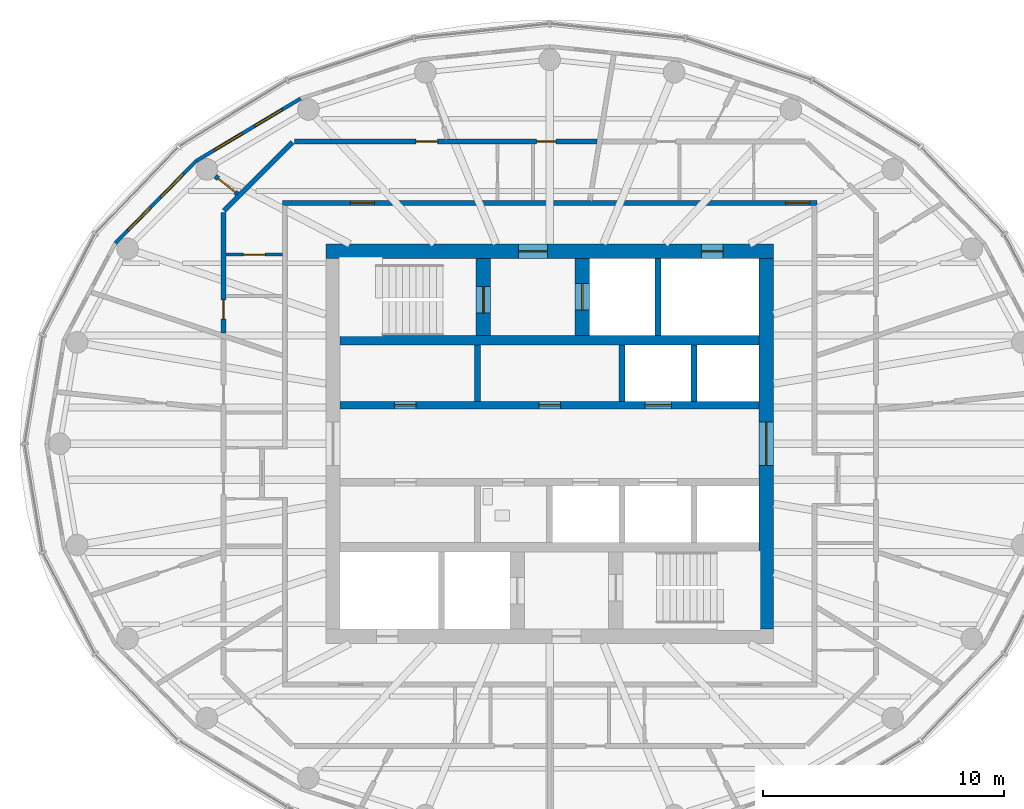
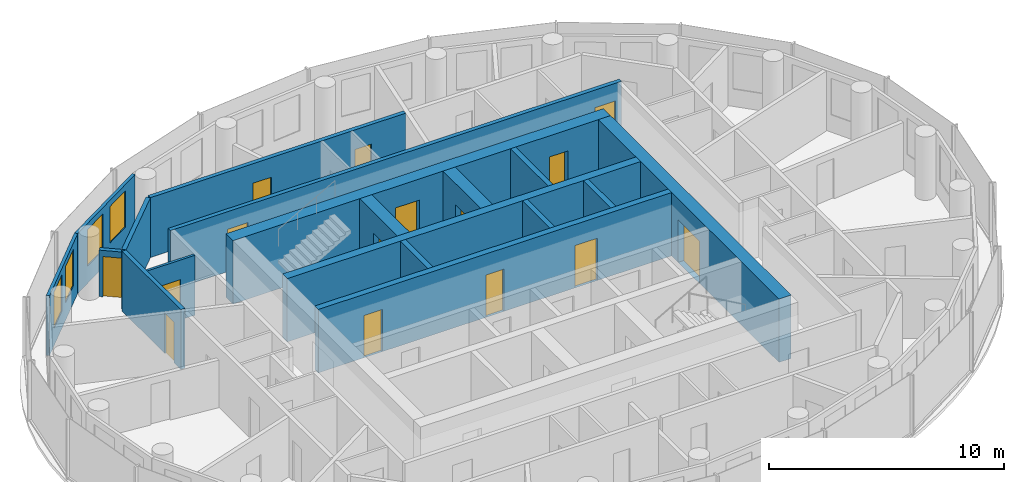
# One storey, part 7 of 12: 18 walls, 15 doors, 4 windows, 19 openings.
"""IFC4 building model written with IfcOpenShell, lengths in metres."""

from ifc_helpers import new_model, si_unit, direction, frame, frame_2d, origin, place, context, subcontext, project, spatial, rectangle, extrude, material, layer, layer_set, type_object, element, fill, save


model = new_model("IFC4")

# Units and contexts
model_context = context("Model", 3, precision=1e-05, world=origin(), true_north=direction((0.0, 1.0)))
body_context = subcontext(model_context, "Body", "Model", "MODEL_VIEW")
ifc_project = project(units=[si_unit("LENGTHUNIT", "METRE"), si_unit("AREAUNIT", "SQUARE_METRE"), si_unit("VOLUMEUNIT", "CUBIC_METRE"), si_unit("PLANEANGLEUNIT", "RADIAN"), si_unit("MASSUNIT", "GRAM", prefix="KILO")], contexts=[model_context])

# Site, building, storey
site_placement = place(None, origin())
site = spatial("IfcSite", under=ifc_project, at=site_placement, CompositionType="ELEMENT")
building_placement = place(site_placement, origin())
building = spatial("IfcBuilding", under=site, at=building_placement, Name="Hankou Lantern Tower", CompositionType="ELEMENT")
storey_placement = place(building_placement, frame((0.0, 0.0, 222.60009765625)))
storey = spatial("IfcBuildingStorey", under=building, at=storey_placement, Name="L60", CompositionType="ELEMENT", Elevation=222.60009765625)

# Wall, openings, doors
ifc_material_1 = material(Name="Concrete C60", Category="concrete")
ifc_layer_1 = layer(ifc_material_1, 0.60009765625)
ifc_layer_set_1 = layer_set([ifc_layer_1], Name="Concrete C60")
wall_type_1 = type_object("IfcWallType", Name="CW3 CORE WALL 600", PredefinedType="SHEAR", material=ifc_layer_set_1)
wall_1_placement = place(storey_placement, frame((-9.300048828125, 8.0, 0.0), z_axis=(0.0, 0.0, 1.0), x_axis=(1.0, 0.0, 0.0)))
wall_1 = element("IfcWall", 1, at=wall_1_placement, inside=storey, type_object=wall_type_1, Name="Core wall north L60", PredefinedType="SHEAR", context=body_context, shape_type="SweptSolid", body=[
    extrude(rectangle(XDim=18.60009765625, YDim=0.60009765625, at=frame_2d((9.300048828125, 0.0))), origin(), (0.0, 0.0, 1.0), 3.2998046875),
])
opening_1_placement = place(wall_1_placement, frame((8.0, 0.0, 0.0)))
opening_1 = element("IfcOpeningElement", 2, at=opening_1_placement, cuts=wall_1, Name="Opening D5", PredefinedType="OPENING", context=body_context, shape_type="SweptSolid", body=[
    extrude(rectangle(XDim=1.199951171875, YDim=2.199951171875, at=frame_2d((0.60009765625, 1.10009765625))), frame((0.0, 0.31005859375, 0.0), z_axis=(0.0, -1.0, 0.0), x_axis=(1.0, 0.0, 0.0)), (0.0, 0.0, 1.0), 0.6201171875),
])
opening_2_placement = place(wall_1_placement, frame((15.60009765625, 0.0, 0.0)))
opening_2 = element("IfcOpeningElement", 3, at=opening_2_placement, cuts=wall_1, Name="Opening D7", PredefinedType="OPENING", context=body_context, shape_type="SweptSolid", body=[
    extrude(rectangle(XDim=0.89990234375, YDim=2.199951171875, at=frame_2d((0.449951171875, 1.10009765625))), frame((0.0, 0.31005859375, 0.0), z_axis=(0.0, -1.0, 0.0), x_axis=(1.0, 0.0, 0.0)), (0.0, 0.0, 1.0), 0.6201171875),
])
ifc_material_2 = material(Name="Steel door leaf", Category="steel")
door_type_1 = type_object("IfcDoorType", Name="D5 STAIR LOBBY DOOR 1200X2200", OperationType="SINGLE_SWING_LEFT", PredefinedType="DOOR", material=ifc_material_2)
door_1_placement = place(opening_1_placement, origin())
door_1 = element("IfcDoor", 4, at=door_1_placement, inside=storey, type_object=door_type_1, Name="Stair A lobby door", OperationType="SINGLE_SWING_LEFT", OverallHeight=2.199951171875, OverallWidth=1.199951171875, PredefinedType="DOOR", context=body_context, shape_type="SweptSolid", body=[
    extrude(rectangle(XDim=1.199951171875, YDim=2.199951171875, at=frame_2d((0.60009765625, 1.10009765625))), frame((0.0, 0.02490234375, 0.0), z_axis=(0.0, -1.0, 0.0), x_axis=(1.0, 0.0, 0.0)), (0.0, 0.0, 1.0), 0.050048828125),
])
fill(opening_1, door_1)
ifc_material_3 = material(Name="Steel door leaf", Category="steel")
door_type_2 = type_object("IfcDoorType", Name="D7 RISER DOOR 900X2200", OperationType="SINGLE_SWING_LEFT", PredefinedType="DOOR", material=ifc_material_3)
door_2_placement = place(opening_2_placement, origin())
door_2 = element("IfcDoor", 5, at=door_2_placement, inside=storey, type_object=door_type_2, Name="Riser N1 door", OperationType="SINGLE_SWING_RIGHT", OverallHeight=2.199951171875, OverallWidth=0.89990234375, PredefinedType="DOOR", context=body_context, shape_type="SweptSolid", body=[
    extrude(rectangle(XDim=0.89990234375, YDim=2.199951171875, at=frame_2d((0.449951171875, 1.10009765625))), frame((0.0, 0.02490234375, 0.0), z_axis=(0.0, -1.0, 0.0), x_axis=(1.0, 0.0, 0.0)), (0.0, 0.0, 1.0), 0.050048828125),
])
fill(opening_2, door_2)

# Wall, opening, door
wall_2_placement = place(storey_placement, frame((9.0, -7.699951171875, 0.0), z_axis=(0.0, 0.0, 1.0), x_axis=(0.0, 1.0, 0.0)))
wall_2 = element("IfcWall", 6, at=wall_2_placement, inside=storey, type_object=wall_type_1, Name="Core wall east L60", PredefinedType="SHEAR", context=body_context, shape_type="SweptSolid", body=[
    extrude(rectangle(XDim=15.39990234375, YDim=0.60009765625, at=frame_2d((7.699951171875, 0.0))), origin(), (0.0, 0.0, 1.0), 3.2998046875),
])
opening_3_placement = place(wall_2_placement, frame((6.800048828125, 0.0, 0.0)))
opening_3 = element("IfcOpeningElement", 7, at=opening_3_placement, cuts=wall_2, Name="Opening D6", PredefinedType="OPENING", context=body_context, shape_type="SweptSolid", body=[
    extrude(rectangle(XDim=1.800048828125, YDim=2.199951171875, at=frame_2d((0.89990234375, 1.10009765625))), frame((0.0, 0.31005859375, 0.0), z_axis=(0.0, -1.0, 0.0), x_axis=(1.0, 0.0, 0.0)), (0.0, 0.0, 1.0), 0.6201171875),
])
ifc_material_4 = material(Name="Steel door leaf", Category="steel")
door_type_3 = type_object("IfcDoorType", Name="D6 LIFT LOBBY DOOR 1800X2200", OperationType="DOUBLE_DOOR_DOUBLE_SWING", PredefinedType="DOOR", material=ifc_material_4)
door_3_placement = place(opening_3_placement, origin())
door_3 = element("IfcDoor", 8, at=door_3_placement, inside=storey, type_object=door_type_3, Name="Lift lobby east door", OperationType="DOUBLE_DOOR_DOUBLE_SWING", OverallHeight=2.199951171875, OverallWidth=1.800048828125, PredefinedType="DOOR", context=body_context, shape_type="SweptSolid", body=[
    extrude(rectangle(XDim=1.800048828125, YDim=2.199951171875, at=frame_2d((0.89990234375, 1.10009765625))), frame((0.0, 0.02490234375, 0.0), z_axis=(0.0, -1.0, 0.0), x_axis=(1.0, 0.0, 0.0)), (0.0, 0.0, 1.0), 0.050048828125),
])
fill(opening_3, door_3)

# Wall
ifc_material_5 = material(Name="Concrete C60", Category="concrete")
ifc_layer_2 = layer(ifc_material_5, 0.39990234375)
ifc_layer_set_2 = layer_set([ifc_layer_2], Name="Concrete C60")
wall_type_2 = type_object("IfcWallType", Name="CW4 CORE CROSS WALL 400", PredefinedType="SHEAR", material=ifc_layer_set_2)
wall_3_placement = place(storey_placement, frame((-8.699951171875, 4.300048828125, 0.0), z_axis=(0.0, 0.0, 1.0), x_axis=(1.0, 0.0, 0.0)))
element("IfcWall", 9, at=wall_3_placement, inside=storey, type_object=wall_type_2, Name="Core band wall north L60", PredefinedType="SHEAR", context=body_context, shape_type="SweptSolid", body=[
    extrude(rectangle(XDim=17.39990234375, YDim=0.39990234375, at=frame_2d((8.699951171875, 0.0))), origin(), (0.0, 0.0, 1.0), 3.2998046875),
])

# Wall, openings, doors
ifc_material_6 = material(Name="Concrete C60", Category="concrete")
ifc_layer_3 = layer(ifc_material_6, 0.300048828125)
ifc_layer_set_3 = layer_set([ifc_layer_3], Name="Concrete C60")
wall_type_3 = type_object("IfcWallType", Name="CW5 LIFT LOBBY WALL 300", PredefinedType="SHEAR", material=ifc_layer_set_3)
wall_4_placement = place(storey_placement, frame((-8.699951171875, 1.60009765625, 0.0), z_axis=(0.0, 0.0, 1.0), x_axis=(1.0, 0.0, 0.0)))
wall_4 = element("IfcWall", 10, at=wall_4_placement, inside=storey, type_object=wall_type_3, Name="Lift lobby wall north L60", PredefinedType="SHEAR", context=body_context, shape_type="SweptSolid", body=[
    extrude(rectangle(XDim=17.39990234375, YDim=0.300048828125, at=frame_2d((8.699951171875, 0.0))), origin(), (0.0, 0.0, 1.0), 3.2998046875),
])
opening_4_placement = place(wall_4_placement, frame((12.64990234375, 0.0, 0.0)))
opening_4 = element("IfcOpeningElement", 11, at=opening_4_placement, cuts=wall_4, Name="Opening LD1", PredefinedType="OPENING", context=body_context, shape_type="SweptSolid", body=[
    extrude(rectangle(XDim=1.10009765625, YDim=2.199951171875, at=frame_2d((0.550048828125, 1.10009765625))), frame((0.0, 0.159912109375, 0.0), z_axis=(0.0, -1.0, 0.0), x_axis=(1.0, 0.0, 0.0)), (0.0, 0.0, 1.0), 0.320068359375),
])
opening_5_placement = place(wall_4_placement, frame((2.25, 0.0, 0.0)))
opening_5 = element("IfcOpeningElement", 12, at=opening_5_placement, cuts=wall_4, Name="Opening D30", PredefinedType="OPENING", context=body_context, shape_type="SweptSolid", body=[
    extrude(rectangle(XDim=0.89990234375, YDim=2.199951171875, at=frame_2d((0.449951171875, 1.10009765625))), frame((0.0, 0.159912109375, 0.0), z_axis=(0.0, -1.0, 0.0), x_axis=(1.0, 0.0, 0.0)), (0.0, 0.0, 1.0), 0.320068359375),
])
opening_6_placement = place(wall_4_placement, frame((8.25, 0.0, 0.0)))
opening_6 = element("IfcOpeningElement", 13, at=opening_6_placement, cuts=wall_4, Name="Opening D30", PredefinedType="OPENING", context=body_context, shape_type="SweptSolid", body=[
    extrude(rectangle(XDim=0.89990234375, YDim=2.199951171875, at=frame_2d((0.449951171875, 1.10009765625))), frame((0.0, 0.159912109375, 0.0), z_axis=(0.0, -1.0, 0.0), x_axis=(1.0, 0.0, 0.0)), (0.0, 0.0, 1.0), 0.320068359375),
])
ifc_material_7 = material(Name="Steel door leaf", Category="steel")
door_type_4 = type_object("IfcDoorType", Name="D30 CORE ROOM DOOR 900X2200", OperationType="SINGLE_SWING_LEFT", PredefinedType="DOOR", material=ifc_material_7)
door_4_placement = place(opening_5_placement, origin())
door_4 = element("IfcDoor", 14, at=door_4_placement, inside=storey, type_object=door_type_4, Name="Guest pantry and ice room door", OperationType="SINGLE_SWING_LEFT", OverallHeight=2.199951171875, OverallWidth=0.89990234375, PredefinedType="DOOR", context=body_context, shape_type="SweptSolid", body=[
    extrude(rectangle(XDim=0.89990234375, YDim=2.199951171875, at=frame_2d((0.449951171875, 1.10009765625))), frame((0.0, 0.02490234375, 0.0), z_axis=(0.0, -1.0, 0.0), x_axis=(1.0, 0.0, 0.0)), (0.0, 0.0, 1.0), 0.050048828125),
])
fill(opening_5, door_4)
door_5_placement = place(opening_6_placement, origin())
door_5 = element("IfcDoor", 15, at=door_5_placement, inside=storey, type_object=door_type_4, Name="Vending room door", OperationType="SINGLE_SWING_LEFT", OverallHeight=2.199951171875, OverallWidth=0.89990234375, PredefinedType="DOOR", context=body_context, shape_type="SweptSolid", body=[
    extrude(rectangle(XDim=0.89990234375, YDim=2.199951171875, at=frame_2d((0.449951171875, 1.10009765625))), frame((0.0, 0.02490234375, 0.0), z_axis=(0.0, -1.0, 0.0), x_axis=(1.0, 0.0, 0.0)), (0.0, 0.0, 1.0), 0.050048828125),
])
fill(opening_6, door_5)
ifc_material_8 = material(Name="Steel door leaf", Category="steel")
door_type_5 = type_object("IfcDoorType", Name="LD1 LIFT LANDING DOOR 1100X2200", OperationType="DOUBLE_DOOR_SLIDING", PredefinedType="DOOR", material=ifc_material_8)
door_6_placement = place(opening_4_placement, origin())
door_6 = element("IfcDoor", 16, at=door_6_placement, inside=storey, type_object=door_type_5, Name="Lift T1 landing door", OperationType="DOUBLE_DOOR_SLIDING", OverallHeight=2.199951171875, OverallWidth=1.10009765625, PredefinedType="DOOR", context=body_context, shape_type="SweptSolid", body=[
    extrude(rectangle(XDim=1.10009765625, YDim=2.199951171875, at=frame_2d((0.550048828125, 1.10009765625))), frame((0.0, 0.02490234375, 0.0), z_axis=(0.0, -1.0, 0.0), x_axis=(1.0, 0.0, 0.0)), (0.0, 0.0, 1.0), 0.050048828125),
])
fill(opening_4, door_6)

# Wall, opening, door
ifc_material_9 = material(Name="Concrete C60", Category="concrete")
ifc_layer_4 = layer(ifc_material_9, 0.60009765625)
ifc_layer_set_4 = layer_set([ifc_layer_4], Name="Concrete C60")
wall_type_4 = type_object("IfcWallType", Name="CW6 STAIR AND SHAFT WALL 600", PredefinedType="SHEAR", material=ifc_layer_set_4)
wall_5_placement = place(storey_placement, frame((-2.75, 4.5, 0.0), z_axis=(0.0, 0.0, 1.0), x_axis=(0.0, 1.0, 0.0)))
wall_5 = element("IfcWall", 17, at=wall_5_placement, inside=storey, type_object=wall_type_4, Name="Stair wall L60", PredefinedType="SHEAR", context=body_context, shape_type="SweptSolid", body=[
    extrude(rectangle(XDim=3.199951171875, YDim=0.60009765625, at=frame_2d((1.60009765625, 0.0))), origin(), (0.0, 0.0, 1.0), 3.2998046875),
])
opening_7_placement = place(wall_5_placement, frame((0.925048828125, 0.0, 0.0)))
opening_7 = element("IfcOpeningElement", 18, at=opening_7_placement, cuts=wall_5, Name="Opening D4", PredefinedType="OPENING", context=body_context, shape_type="SweptSolid", body=[
    extrude(rectangle(XDim=1.10009765625, YDim=2.199951171875, at=frame_2d((0.550048828125, 1.10009765625))), frame((0.0, 0.31005859375, 0.0), z_axis=(0.0, -1.0, 0.0), x_axis=(1.0, 0.0, 0.0)), (0.0, 0.0, 1.0), 0.6201171875),
])
ifc_material_10 = material(Name="Steel door leaf", Category="steel")
door_type_6 = type_object("IfcDoorType", Name="D4 STAIR DOOR 1100X2200", OperationType="SINGLE_SWING_LEFT", PredefinedType="DOOR", material=ifc_material_10)
door_7_placement = place(opening_7_placement, origin())
door_7 = element("IfcDoor", 19, at=door_7_placement, inside=storey, type_object=door_type_6, Name="Stair A door", OperationType="SINGLE_SWING_LEFT", OverallHeight=2.199951171875, OverallWidth=1.10009765625, PredefinedType="DOOR", context=body_context, shape_type="SweptSolid", body=[
    extrude(rectangle(XDim=1.10009765625, YDim=2.199951171875, at=frame_2d((0.550048828125, 1.10009765625))), frame((0.0, 0.02490234375, 0.0), z_axis=(0.0, -1.0, 0.0), x_axis=(1.0, 0.0, 0.0)), (0.0, 0.0, 1.0), 0.050048828125),
])
fill(opening_7, door_7)

wall_6_placement = place(storey_placement, frame((1.35009765625, 4.5, 0.0), z_axis=(0.0, 0.0, 1.0), x_axis=(0.0, 1.0, 0.0)))
wall_6 = element("IfcWall", 20, at=wall_6_placement, inside=storey, type_object=wall_type_4, Name="Firefighting lift shaft wall L60", PredefinedType="SHEAR", context=body_context, shape_type="SweptSolid", body=[
    extrude(rectangle(XDim=3.199951171875, YDim=0.60009765625, at=frame_2d((1.60009765625, 0.0))), origin(), (0.0, 0.0, 1.0), 3.2998046875),
])
opening_8_placement = place(wall_6_placement, frame((1.050048828125, 0.0, 0.0)))
opening_8 = element("IfcOpeningElement", 21, at=opening_8_placement, cuts=wall_6, Name="Opening LD2", PredefinedType="OPENING", context=body_context, shape_type="SweptSolid", body=[
    extrude(rectangle(XDim=1.10009765625, YDim=2.199951171875, at=frame_2d((0.550048828125, 1.10009765625))), frame((0.0, 0.31005859375, 0.0), z_axis=(0.0, -1.0, 0.0), x_axis=(1.0, 0.0, 0.0)), (0.0, 0.0, 1.0), 0.6201171875),
])
ifc_material_11 = material(Name="Steel door leaf", Category="steel")
door_type_7 = type_object("IfcDoorType", Name="LD2 FIREFIGHTING LIFT LANDING DOOR 1100X2200", OperationType="DOUBLE_DOOR_SLIDING", PredefinedType="DOOR", material=ifc_material_11)
door_8_placement = place(opening_8_placement, origin())
door_8 = element("IfcDoor", 22, at=door_8_placement, inside=storey, type_object=door_type_7, Name="Firefighting lift FL1 landing door", OperationType="DOUBLE_DOOR_SLIDING", OverallHeight=2.199951171875, OverallWidth=1.10009765625, PredefinedType="DOOR", context=body_context, shape_type="SweptSolid", body=[
    extrude(rectangle(XDim=1.10009765625, YDim=2.199951171875, at=frame_2d((0.550048828125, 1.10009765625))), frame((0.0, 0.02490234375, 0.0), z_axis=(0.0, -1.0, 0.0), x_axis=(1.0, 0.0, 0.0)), (0.0, 0.0, 1.0), 0.050048828125),
])
fill(opening_8, door_8)

# Wall, openings, windows
ifc_material_12 = material(Name="Aluminium spandrel panel on steel studs", Category="steel")
ifc_layer_5 = layer(ifc_material_12, 0.14990234375)
ifc_layer_set_5 = layer_set([ifc_layer_5], Name="Aluminium spandrel panel on steel studs")
wall_type_5 = type_object("IfcWallType", Name="EW1 INNER SKIN WALL 150", PredefinedType="ELEMENTEDWALL", material=ifc_layer_set_5)
wall_7_placement = place(storey_placement, frame((-10.346435546875, 14.33642578125, 0.0), z_axis=(0.0, 0.0, 1.0), x_axis=(-0.85822150553, -0.513279502265, 0.0)))
wall_7 = element("IfcWall", 23, at=wall_7_placement, inside=storey, type_object=wall_type_5, Name="Inner skin R09-R10 L60", PredefinedType="ELEMENTEDWALL", context=body_context, shape_type="SweptSolid", body=[
    extrude(rectangle(XDim=5.050048828125, YDim=0.14990234375, at=frame_2d((2.52490234375, 0.0))), origin(), (0.0, 0.0, 1.0), 3.119873046875),
])
opening_9_placement = place(wall_7_placement, frame((0.875, 0.0, 0.89990234375)))
opening_9 = element("IfcOpeningElement", 24, at=opening_9_placement, cuts=wall_7, Name="Opening W4", PredefinedType="OPENING", context=body_context, shape_type="SweptSolid", body=[
    extrude(rectangle(XDim=1.35009765625, YDim=1.89990234375, at=frame_2d((0.675048828125, 0.949951171875))), frame((0.0, 0.0849609375, 0.0), z_axis=(0.0, -1.0, 0.0), x_axis=(1.0, 0.0, 0.0)), (0.0, 0.0, 1.0), 0.169921875),
])
opening_10_placement = place(wall_7_placement, frame((2.824951171875, 0.0, 0.89990234375)))
opening_10 = element("IfcOpeningElement", 25, at=opening_10_placement, cuts=wall_7, Name="Opening W4", PredefinedType="OPENING", context=body_context, shape_type="SweptSolid", body=[
    extrude(rectangle(XDim=1.35009765625, YDim=1.89990234375, at=frame_2d((0.675048828125, 0.949951171875))), frame((0.0, 0.0849609375, 0.0), z_axis=(0.0, -1.0, 0.0), x_axis=(1.0, 0.0, 0.0)), (0.0, 0.0, 1.0), 0.169921875),
])
ifc_material_13 = material(Name="Aluminium framed double glazed window", Category="aluminium")
window_type = type_object("IfcWindowType", Name="W4 SUITE WINDOW 1350X1900", PartitioningType="DOUBLE_PANEL_VERTICAL", PredefinedType="WINDOW", material=ifc_material_13)
window_1_placement = place(opening_9_placement, origin())
window_1 = element("IfcWindow", 26, at=window_1_placement, inside=storey, type_object=window_type, Name="Window R09.1 L60", OverallHeight=1.89990234375, OverallWidth=1.35009765625, PartitioningType="SINGLE_PANEL", PredefinedType="WINDOW", context=body_context, shape_type="SweptSolid", body=[
    extrude(rectangle(XDim=1.35009765625, YDim=1.89990234375, at=frame_2d((0.675048828125, 0.949951171875))), frame((0.0, 0.030029296875, 0.0), z_axis=(0.0, -1.0, 0.0), x_axis=(1.0, 0.0, 0.0)), (0.0, 0.0, 1.0), 0.06005859375),
])
fill(opening_9, window_1)
window_2_placement = place(opening_10_placement, origin())
window_2 = element("IfcWindow", 27, at=window_2_placement, inside=storey, type_object=window_type, Name="Window R09.2 L60", OverallHeight=1.89990234375, OverallWidth=1.35009765625, PartitioningType="SINGLE_PANEL", PredefinedType="WINDOW", context=body_context, shape_type="SweptSolid", body=[
    extrude(rectangle(XDim=1.35009765625, YDim=1.89990234375, at=frame_2d((0.675048828125, 0.949951171875))), frame((0.0, 0.030029296875, 0.0), z_axis=(0.0, -1.0, 0.0), x_axis=(1.0, 0.0, 0.0)), (0.0, 0.0, 1.0), 0.06005859375),
])
fill(opening_10, window_2)

wall_8_placement = place(storey_placement, frame((-14.680419921875, 11.744384765625, 0.0), z_axis=(0.0, 0.0, 1.0), x_axis=(-0.701527379618, -0.712642501993, 0.0)))
wall_8 = element("IfcWall", 28, at=wall_8_placement, inside=storey, type_object=wall_type_5, Name="Inner skin R10-R11 L60", PredefinedType="ELEMENTEDWALL", context=body_context, shape_type="SweptSolid", body=[
    extrude(rectangle(XDim=4.788330078125, YDim=0.14990234375, at=frame_2d((2.39404296875, 0.0))), origin(), (0.0, 0.0, 1.0), 3.119873046875),
])
opening_11_placement = place(wall_8_placement, frame((0.744140625, 0.0, 0.89990234375)))
opening_11 = element("IfcOpeningElement", 29, at=opening_11_placement, cuts=wall_8, Name="Opening W4", PredefinedType="OPENING", context=body_context, shape_type="SweptSolid", body=[
    extrude(rectangle(XDim=1.35009765625, YDim=1.89990234375, at=frame_2d((0.675048828125, 0.949951171875))), frame((0.0, 0.0849609375, 0.0), z_axis=(0.0, -1.0, 0.0), x_axis=(1.0, 0.0, 0.0)), (0.0, 0.0, 1.0), 0.169921875),
])
opening_12_placement = place(wall_8_placement, frame((2.694091796875, 0.0, 0.89990234375)))
opening_12 = element("IfcOpeningElement", 30, at=opening_12_placement, cuts=wall_8, Name="Opening W4", PredefinedType="OPENING", context=body_context, shape_type="SweptSolid", body=[
    extrude(rectangle(XDim=1.35009765625, YDim=1.89990234375, at=frame_2d((0.675048828125, 0.949951171875))), frame((0.0, 0.0849609375, 0.0), z_axis=(0.0, -1.0, 0.0), x_axis=(1.0, 0.0, 0.0)), (0.0, 0.0, 1.0), 0.169921875),
])
window_3_placement = place(opening_11_placement, origin())
window_3 = element("IfcWindow", 31, at=window_3_placement, inside=storey, type_object=window_type, Name="Window R10.1 L60", OverallHeight=1.89990234375, OverallWidth=1.35009765625, PartitioningType="SINGLE_PANEL", PredefinedType="WINDOW", context=body_context, shape_type="SweptSolid", body=[
    extrude(rectangle(XDim=1.35009765625, YDim=1.89990234375, at=frame_2d((0.675048828125, 0.949951171875))), frame((0.0, 0.030029296875, 0.0), z_axis=(0.0, -1.0, 0.0), x_axis=(1.0, 0.0, 0.0)), (0.0, 0.0, 1.0), 0.06005859375),
])
fill(opening_11, window_3)
window_4_placement = place(opening_12_placement, origin())
window_4 = element("IfcWindow", 32, at=window_4_placement, inside=storey, type_object=window_type, Name="Window R10.2 L60", OverallHeight=1.89990234375, OverallWidth=1.35009765625, PartitioningType="SINGLE_PANEL", PredefinedType="WINDOW", context=body_context, shape_type="SweptSolid", body=[
    extrude(rectangle(XDim=1.35009765625, YDim=1.89990234375, at=frame_2d((0.675048828125, 0.949951171875))), frame((0.0, 0.030029296875, 0.0), z_axis=(0.0, -1.0, 0.0), x_axis=(1.0, 0.0, 0.0)), (0.0, 0.0, 1.0), 0.06005859375),
])
fill(opening_12, window_4)

# Wall, openings, doors
ifc_material_14 = material(Name="Masonry lightweight concrete block", Category="masonry")
ifc_layer_6 = layer(ifc_material_14, 0.199951171875)
ifc_layer_set_6 = layer_set([ifc_layer_6], Name="Masonry lightweight concrete block")
wall_type_6 = type_object("IfcWallType", Name="IW2 CORRIDOR WALL 200", PredefinedType="PARTITIONING", material=ifc_layer_set_6)
wall_9_placement = place(storey_placement, frame((-11.10009765625, 10.0, 0.0), z_axis=(0.0, 0.0, 1.0), x_axis=(1.0, 0.0, 0.0)))
wall_9 = element("IfcWall", 33, at=wall_9_placement, inside=storey, type_object=wall_type_6, Name="Corridor wall north", PredefinedType="PARTITIONING", context=body_context, shape_type="SweptSolid", body=[
    extrude(rectangle(XDim=22.2001953125, YDim=0.199951171875, at=frame_2d((11.10009765625, 0.0))), origin(), (0.0, 0.0, 1.0), 3.119873046875),
])
opening_13_placement = place(wall_9_placement, frame((20.89990234375, 0.0, 0.0)))
opening_13 = element("IfcOpeningElement", 34, at=opening_13_placement, cuts=wall_9, Name="Opening D2", PredefinedType="OPENING", context=body_context, shape_type="SweptSolid", body=[
    extrude(rectangle(XDim=1.0, YDim=2.199951171875, at=frame_2d((0.5, 1.10009765625))), frame((0.0, 0.10986328125, 0.0), z_axis=(0.0, -1.0, 0.0), x_axis=(1.0, 0.0, 0.0)), (0.0, 0.0, 1.0), 0.219970703125),
])
opening_14_placement = place(wall_9_placement, frame((2.819580078125, 0.0, 0.0)))
opening_14 = element("IfcOpeningElement", 35, at=opening_14_placement, cuts=wall_9, Name="Opening D2", PredefinedType="OPENING", context=body_context, shape_type="SweptSolid", body=[
    extrude(rectangle(XDim=1.0, YDim=2.199951171875, at=frame_2d((0.5, 1.10009765625))), frame((0.0, 0.10986328125, 0.0), z_axis=(0.0, -1.0, 0.0), x_axis=(1.0, 0.0, 0.0)), (0.0, 0.0, 1.0), 0.219970703125),
])
ifc_material_15 = material(Name="Steel door leaf", Category="steel")
door_type_8 = type_object("IfcDoorType", Name="D2 SUITE DOOR 1000X2200", OperationType="SINGLE_SWING_LEFT", PredefinedType="DOOR", material=ifc_material_15)
door_9_placement = place(opening_13_placement, origin())
door_9 = element("IfcDoor", 36, at=door_9_placement, inside=storey, type_object=door_type_8, Name="Suite door 6001", OperationType="SINGLE_SWING_LEFT", OverallHeight=2.199951171875, OverallWidth=1.0, PredefinedType="DOOR", context=body_context, shape_type="SweptSolid", body=[
    extrude(rectangle(XDim=1.0, YDim=2.199951171875, at=frame_2d((0.5, 1.10009765625))), frame((0.0, 0.02490234375, 0.0), z_axis=(0.0, -1.0, 0.0), x_axis=(1.0, 0.0, 0.0)), (0.0, 0.0, 1.0), 0.050048828125),
])
fill(opening_13, door_9)
door_10_placement = place(opening_14_placement, origin())
door_10 = element("IfcDoor", 37, at=door_10_placement, inside=storey, type_object=door_type_8, Name="Suite door 6002", OperationType="SINGLE_SWING_RIGHT", OverallHeight=2.199951171875, OverallWidth=1.0, PredefinedType="DOOR", context=body_context, shape_type="SweptSolid", body=[
    extrude(rectangle(XDim=1.0, YDim=2.199951171875, at=frame_2d((0.5, 1.10009765625))), frame((0.0, 0.02490234375, 0.0), z_axis=(0.0, -1.0, 0.0), x_axis=(1.0, 0.0, 0.0)), (0.0, 0.0, 1.0), 0.050048828125),
])
fill(opening_14, door_10)

# Wall, opening, door
ifc_material_16 = material(Name="Masonry lightweight concrete block", Category="masonry")
ifc_layer_7 = layer(ifc_material_16, 0.1201171875)
ifc_layer_set_7 = layer_set([ifc_layer_7], Name="Masonry lightweight concrete block")
wall_type_7 = type_object("IfcWallType", Name="IW3 BATHROOM WALL 120", PredefinedType="PARTITIONING", material=ifc_layer_set_7)
wall_10_placement = place(storey_placement, frame((-11.10009765625, 7.855224609375, 0.0), z_axis=(0.0, 0.0, 1.0), x_axis=(-1.0, 0.0, 0.0)))
wall_10 = element("IfcWall", 38, at=wall_10_placement, inside=storey, type_object=wall_type_7, Name="Box wall 6002 3", PredefinedType="PARTITIONING", context=body_context, shape_type="SweptSolid", body=[
    extrude(rectangle(XDim=2.349853515625, YDim=0.1201171875, at=frame_2d((1.1748046875, 0.0))), origin(), (0.0, 0.0, 1.0), 3.119873046875),
])
opening_15_placement = place(wall_10_placement, frame((0.719970703125, 0.0, 0.0)))
opening_15 = element("IfcOpeningElement", 39, at=opening_15_placement, cuts=wall_10, Name="Opening D27", PredefinedType="OPENING", context=body_context, shape_type="SweptSolid", body=[
    extrude(rectangle(XDim=0.89990234375, YDim=2.10009765625, at=frame_2d((0.449951171875, 1.050048828125))), frame((0.0, 0.070068359375, 0.0), z_axis=(0.0, -1.0, 0.0), x_axis=(1.0, 0.0, 0.0)), (0.0, 0.0, 1.0), 0.14013671875),
])
ifc_material_17 = material(Name="Timber door leaf", Category="wood")
door_type_9 = type_object("IfcDoorType", Name="D27 INTERNAL DOOR 900X2100", OperationType="SINGLE_SWING_LEFT", PredefinedType="DOOR", material=ifc_material_17)
door_11_placement = place(opening_15_placement, origin())
door_11 = element("IfcDoor", 40, at=door_11_placement, inside=storey, type_object=door_type_9, Name="Family suite 6002 walk-in wardrobe door", OperationType="SINGLE_SWING_LEFT", OverallHeight=2.10009765625, OverallWidth=0.89990234375, PredefinedType="DOOR", context=body_context, shape_type="SweptSolid", body=[
    extrude(rectangle(XDim=0.89990234375, YDim=2.10009765625, at=frame_2d((0.449951171875, 1.050048828125))), frame((0.0, 0.02490234375, 0.0), z_axis=(0.0, -1.0, 0.0), x_axis=(1.0, 0.0, 0.0)), (0.0, 0.0, 1.0), 0.050048828125),
])
fill(opening_15, door_11)

# Wall, openings, doors
ifc_material_18 = material(Name="Masonry lightweight concrete block", Category="masonry")
ifc_layer_8 = layer(ifc_material_18, 0.199951171875)
ifc_layer_set_8 = layer_set([ifc_layer_8], Name="Masonry lightweight concrete block")
wall_type_8 = type_object("IfcWallType", Name="IW6 SUITE PARTITION 200", PredefinedType="PARTITIONING", material=ifc_layer_set_8)
wall_11_placement = place(storey_placement, frame((1.967529296875, 12.550048828125, 0.0), z_axis=(0.0, 0.0, 1.0), x_axis=(-1.0, 0.0, 0.0)))
wall_11 = element("IfcWall", 41, at=wall_11_placement, inside=storey, type_object=wall_type_8, Name="Suite foyer wall 6002", PredefinedType="PARTITIONING", context=body_context, shape_type="SweptSolid", body=[
    extrude(rectangle(XDim=12.576171875, YDim=0.199951171875, at=frame_2d((6.2880859375, 0.0))), origin(), (0.0, 0.0, 1.0), 3.119873046875),
])
opening_16_placement = place(wall_11_placement, frame((1.707763671875, 0.0, 0.0)))
opening_16 = element("IfcOpeningElement", 42, at=opening_16_placement, cuts=wall_11, Name="Opening D3", PredefinedType="OPENING", context=body_context, shape_type="SweptSolid", body=[
    extrude(rectangle(XDim=0.800048828125, YDim=2.10009765625, at=frame_2d((0.39990234375, 1.050048828125))), frame((0.0, 0.10986328125, 0.0), z_axis=(0.0, -1.0, 0.0), x_axis=(1.0, 0.0, 0.0)), (0.0, 0.0, 1.0), 0.219970703125),
])
opening_17_placement = place(wall_11_placement, frame((6.6201171875, 0.0, 0.0)))
opening_17 = element("IfcOpeningElement", 43, at=opening_17_placement, cuts=wall_11, Name="Opening D27", PredefinedType="OPENING", context=body_context, shape_type="SweptSolid", body=[
    extrude(rectangle(XDim=0.89990234375, YDim=2.10009765625, at=frame_2d((0.449951171875, 1.050048828125))), frame((0.0, 0.10986328125, 0.0), z_axis=(0.0, -1.0, 0.0), x_axis=(1.0, 0.0, 0.0)), (0.0, 0.0, 1.0), 0.219970703125),
])
door_12_placement = place(opening_17_placement, origin())
door_12 = element("IfcDoor", 44, at=door_12_placement, inside=storey, type_object=door_type_9, Name="Family suite 6002 living room door", OperationType="SINGLE_SWING_LEFT", OverallHeight=2.10009765625, OverallWidth=0.89990234375, PredefinedType="DOOR", context=body_context, shape_type="SweptSolid", body=[
    extrude(rectangle(XDim=0.89990234375, YDim=2.10009765625, at=frame_2d((0.449951171875, 1.050048828125))), frame((0.0, 0.02490234375, 0.0), z_axis=(0.0, -1.0, 0.0), x_axis=(1.0, 0.0, 0.0)), (0.0, 0.0, 1.0), 0.050048828125),
])
fill(opening_17, door_12)
ifc_material_19 = material(Name="Timber door leaf", Category="wood")
door_type_10 = type_object("IfcDoorType", Name="D3 BATHROOM DOOR 800X2100", OperationType="SINGLE_SWING_LEFT", PredefinedType="DOOR", material=ifc_material_19)
door_13_placement = place(opening_16_placement, origin())
door_13 = element("IfcDoor", 45, at=door_13_placement, inside=storey, type_object=door_type_10, Name="Family suite 6002 bathroom door", OperationType="SINGLE_SWING_RIGHT", OverallHeight=2.10009765625, OverallWidth=0.800048828125, PredefinedType="DOOR", context=body_context, shape_type="SweptSolid", body=[
    extrude(rectangle(XDim=0.800048828125, YDim=2.10009765625, at=frame_2d((0.39990234375, 1.050048828125))), frame((0.0, 0.02490234375, 0.0), z_axis=(0.0, -1.0, 0.0), x_axis=(1.0, 0.0, 0.0)), (0.0, 0.0, 1.0), 0.050048828125),
])
fill(opening_16, door_13)

# Wall
wall_12_placement = place(storey_placement, frame((-10.67919921875, 12.520751953125, 0.0), z_axis=(0.0, 0.0, 1.0), x_axis=(-0.707106781187, -0.707106781187, 0.0)))
element("IfcWall", 46, at=wall_12_placement, inside=storey, type_object=wall_type_8, Name="Suite foyer wall 6002", PredefinedType="PARTITIONING", context=body_context, shape_type="SweptSolid", body=[
    extrude(rectangle(XDim=4.0185546875, YDim=0.199951171875, at=frame_2d((2.00927734375, 0.0))), origin(), (0.0, 0.0, 1.0), 3.119873046875),
])

# Wall, opening, door
wall_13_placement = place(storey_placement, frame((-13.550048828125, 9.608642578125, 0.0), z_axis=(0.0, 0.0, 1.0), x_axis=(0.0, -1.0, 0.0)))
wall_13 = element("IfcWall", 47, at=wall_13_placement, inside=storey, type_object=wall_type_8, Name="Suite foyer wall 6002", PredefinedType="PARTITIONING", context=body_context, shape_type="SweptSolid", body=[
    extrude(rectangle(XDim=5.0087890625, YDim=0.199951171875, at=frame_2d((2.50439453125, 0.0))), origin(), (0.0, 0.0, 1.0), 3.119873046875),
])
opening_18_placement = place(wall_13_placement, frame((3.63330078125, 0.0, 0.0)))
opening_18 = element("IfcOpeningElement", 48, at=opening_18_placement, cuts=wall_13, Name="Opening D3", PredefinedType="OPENING", context=body_context, shape_type="SweptSolid", body=[
    extrude(rectangle(XDim=0.800048828125, YDim=2.10009765625, at=frame_2d((0.39990234375, 1.050048828125))), frame((0.0, 0.10986328125, 0.0), z_axis=(0.0, -1.0, 0.0), x_axis=(1.0, 0.0, 0.0)), (0.0, 0.0, 1.0), 0.219970703125),
])
door_14_placement = place(opening_18_placement, origin())
door_14 = element("IfcDoor", 49, at=door_14_placement, inside=storey, type_object=door_type_10, Name="Family suite 6002 second bathroom door", OperationType="SINGLE_SWING_LEFT", OverallHeight=2.10009765625, OverallWidth=0.800048828125, PredefinedType="DOOR", context=body_context, shape_type="SweptSolid", body=[
    extrude(rectangle(XDim=0.800048828125, YDim=2.10009765625, at=frame_2d((0.39990234375, 1.050048828125))), frame((0.0, 0.02490234375, 0.0), z_axis=(0.0, -1.0, 0.0), x_axis=(1.0, 0.0, 0.0)), (0.0, 0.0, 1.0), 0.050048828125),
])
fill(opening_18, door_14)

wall_14_placement = place(storey_placement, frame((-12.967529296875, 10.3740234375, 0.0), z_axis=(0.0, 0.0, 1.0), x_axis=(-0.780888968944, 0.624669847345, 0.0)))
wall_14 = element("IfcWall", 50, at=wall_14_placement, inside=storey, type_object=wall_type_8, Name="Suite partition R10", PredefinedType="PARTITIONING", context=body_context, shape_type="SweptSolid", body=[
    extrude(rectangle(XDim=1.181396484375, YDim=0.199951171875, at=frame_2d((0.5908203125, 0.0))), origin(), (0.0, 0.0, 1.0), 2.419921875),
])
opening_19_placement = place(wall_14_placement, frame((0.1201171875, 0.0, 0.0)))
opening_19 = element("IfcOpeningElement", 51, at=opening_19_placement, cuts=wall_14, Name="Opening D27", PredefinedType="OPENING", context=body_context, shape_type="SweptSolid", body=[
    extrude(rectangle(XDim=0.89990234375, YDim=2.10009765625, at=frame_2d((0.449951171875, 1.050048828125))), frame((0.0, 0.10986328125, 0.0), z_axis=(0.0, -1.0, 0.0), x_axis=(1.0, 0.0, 0.0)), (0.0, 0.0, 1.0), 0.219970703125),
])
door_15_placement = place(opening_19_placement, origin())
door_15 = element("IfcDoor", 52, at=door_15_placement, inside=storey, type_object=door_type_9, Name="Family suite 6002 second bedroom door", OperationType="SINGLE_SWING_LEFT", OverallHeight=2.10009765625, OverallWidth=0.89990234375, PredefinedType="DOOR", context=body_context, shape_type="SweptSolid", body=[
    extrude(rectangle(XDim=0.89990234375, YDim=2.10009765625, at=frame_2d((0.449951171875, 1.050048828125))), frame((0.0, 0.02490234375, 0.0), z_axis=(0.0, -1.0, 0.0), x_axis=(1.0, 0.0, 0.0)), (0.0, 0.0, 1.0), 0.050048828125),
])
fill(opening_19, door_15)

# Walls
ifc_material_20 = material(Name="Masonry autoclaved aerated concrete block", Category="masonry")
ifc_layer_9 = layer(ifc_material_20, 0.25)
ifc_layer_set_9 = layer_set([ifc_layer_9], Name="Masonry autoclaved aerated concrete block")
wall_type_9 = type_object("IfcWallType", Name="SW1 SHAFT BLOCK WALL 250", PredefinedType="PARTITIONING", material=ifc_layer_set_9)
wall_15_placement = place(storey_placement, frame((4.5, 4.5, 0.0), z_axis=(0.0, 0.0, 1.0), x_axis=(0.0, 1.0, 0.0)))
element("IfcWall", 53, at=wall_15_placement, inside=storey, type_object=wall_type_9, Name="Riser wall L60", PredefinedType="PARTITIONING", context=body_context, shape_type="SweptSolid", body=[
    extrude(rectangle(XDim=3.199951171875, YDim=0.25, at=frame_2d((1.60009765625, 0.0))), origin(), (0.0, 0.0, 1.0), 3.2998046875),
])
for number, where, z_axis, x_axis, name in (
    (54, (-3.0, 1.75, 0.0), (0.0, 0.0, 1.0), (0.0, 1.0, 0.0), "Lift shaft wall L60"),
    (55, (3.0, 1.75, 0.0), (0.0, 0.0, 1.0), (0.0, 1.0, 0.0), "Lift shaft wall L60"),
    (56, (6.0, 1.75, 0.0), (0.0, 0.0, 1.0), (0.0, 1.0, 0.0), "Lift shaft wall L60"),
):
    element("IfcWall", number, at=place(storey_placement, frame(where, z_axis=z_axis, x_axis=x_axis)), inside=storey, type_object=wall_type_9, Name=name, PredefinedType="PARTITIONING", context=body_context, shape_type="SweptSolid", body=[
        extrude(rectangle(XDim=2.35009765625, YDim=0.25, at=frame_2d((1.175048828125, 0.0))), origin(), (0.0, 0.0, 1.0), 3.2998046875),
    ])

save(model, "model.ifc")
